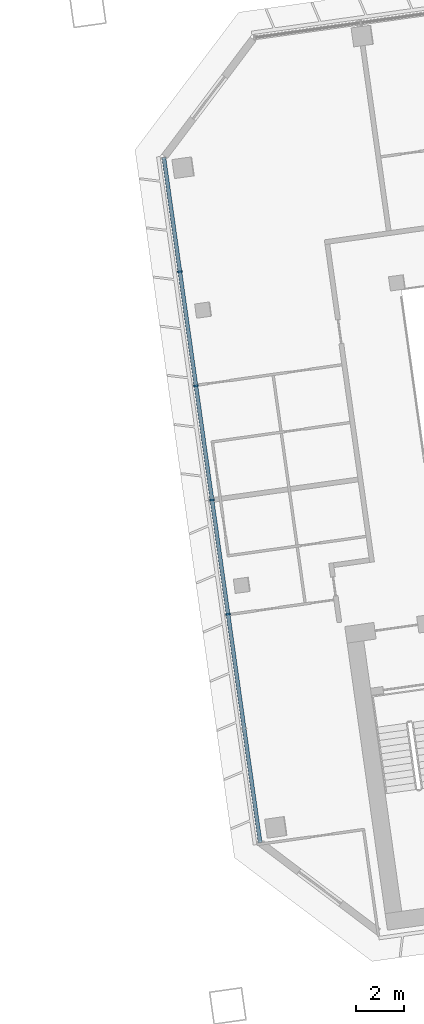
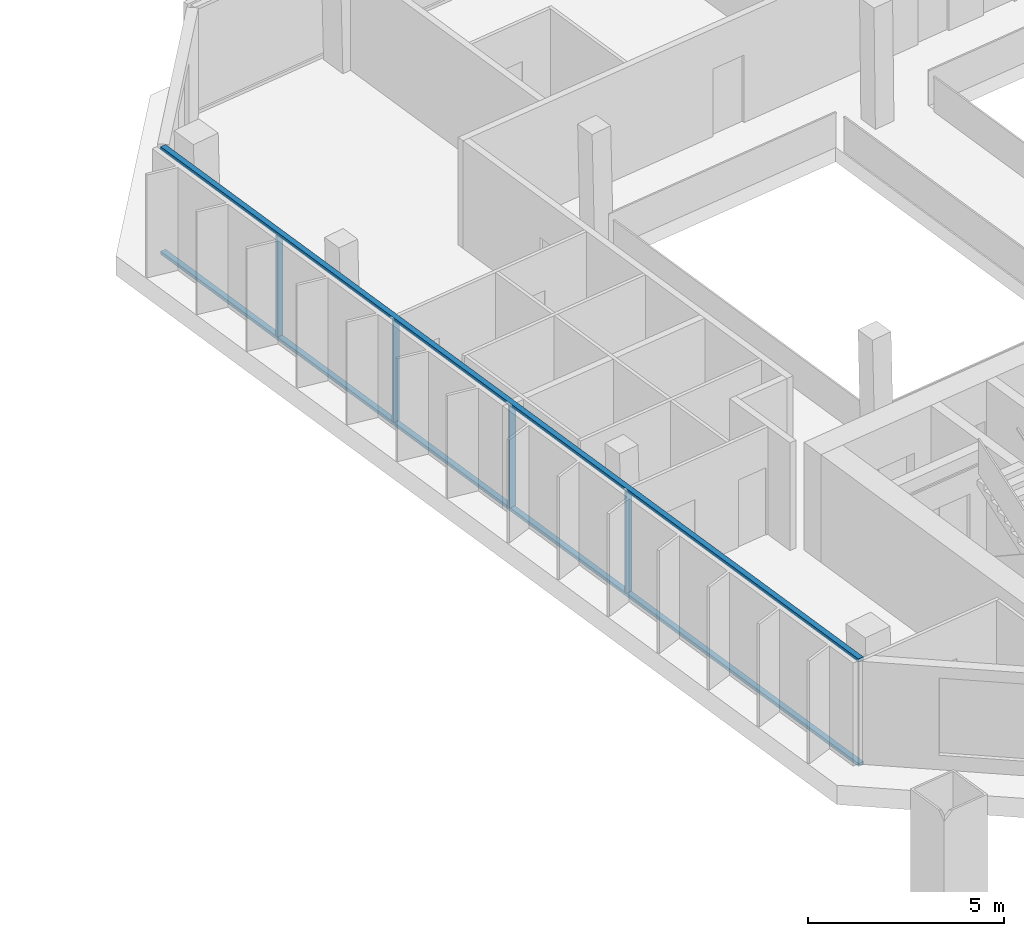
# One storey, part 7 of 28: 6 members, 1 element without a shape of its own.
"""IFC4 building model written with IfcOpenShell, lengths in metres."""

from ifc_helpers import new_model, si_unit, direction, frame, origin, origin_2d, place, context, subcontext, project, spatial, rectangle, extrude, material, material_profile, profile_set, type_object, element, aggregate, save


model = new_model("IFC4")

# Units and contexts
model_context = context("Model", 3, precision=1e-05, world=origin(), true_north=direction((0.0, 1.0)))
body_context = subcontext(model_context, "Body", "Model", "MODEL_VIEW")
ifc_project = project(units=[si_unit("LENGTHUNIT", "METRE"), si_unit("AREAUNIT", "SQUARE_METRE"), si_unit("VOLUMEUNIT", "CUBIC_METRE"), si_unit("PLANEANGLEUNIT", "RADIAN"), si_unit("MASSUNIT", "GRAM", prefix="KILO")], contexts=[model_context])

# Site, building, storey
site_placement = place(None, origin())
site = spatial("IfcSite", under=ifc_project, at=site_placement, CompositionType="ELEMENT")
building_placement = place(site_placement, origin())
building = spatial("IfcBuilding", under=site, at=building_placement, Name="Mirante Cascada Hotel Towers", CompositionType="ELEMENT")
storey_placement = place(building_placement, frame((0.0, 0.0, 165.0)))
storey = spatial("IfcBuildingStorey", under=building, at=storey_placement, Name="L38", CompositionType="ELEMENT", Elevation=165.0)

# Curtain wall, members
ifc_material_1 = material(Name="Aluminium mullion and transom frame with clear laminated glass", Category="aluminium")
curtain_wall_type = type_object("IfcCurtainWallType", Name="End ribbon curtain wall ECW2", PredefinedType="NOTDEFINED", material=ifc_material_1)
curtain_wall_placement = place(storey_placement, origin())
curtain_wall = element("IfcCurtainWall", 1, at=curtain_wall_placement, inside=storey, type_object=curtain_wall_type, Name="Inner end wall T2 L38", PredefinedType="NOTDEFINED")
ifc_material_2 = material(Name="Anodised aluminium extrusion", Category="aluminium")
ifc_material_profile_1 = material_profile(ifc_material_2, rectangle(XDim=0.2, YDim=0.065, at=origin_2d()), Name="ECW2 MULLION 65x200")
ifc_profile_set_1 = profile_set([ifc_material_profile_1], Name="Anodised aluminium extrusion")
member_type_1 = type_object("IfcMemberType", Name="ECW2 mullion 65x200", PredefinedType="MULLION", material=ifc_profile_set_1)
member_1_placement = place(storey_placement, frame((28.6081, 7.5242, 0.1), z_axis=(0.0, 0.0, 1.0), x_axis=(0.9902681, 0.1391731, 0.0)))
member_1 = element("IfcMember", 2, at=member_1_placement, type_object=member_type_1, Name="ECW2 mullion 2", PredefinedType="MULLION", context=body_context, shape_type="SweptSolid", body=[
    extrude(rectangle(XDim=0.2, YDim=0.065, at=origin_2d()), origin(), (0.0, 0.0, 1.0), 3.15),
])
member_2_placement = place(storey_placement, frame((29.2779, 2.7584, 0.1), z_axis=(0.0, 0.0, 1.0), x_axis=(0.9902681, 0.1391731, 0.0)))
member_2 = element("IfcMember", 3, at=member_2_placement, type_object=member_type_1, Name="ECW2 mullion 3", PredefinedType="MULLION", context=body_context, shape_type="SweptSolid", body=[
    extrude(rectangle(XDim=0.2, YDim=0.065, at=origin_2d()), origin(), (0.0, 0.0, 1.0), 3.15),
])
member_3_placement = place(storey_placement, frame((29.9477, -2.0074, 0.1), z_axis=(0.0, 0.0, 1.0), x_axis=(0.9902681, 0.1391731, 0.0)))
member_3 = element("IfcMember", 4, at=member_3_placement, type_object=member_type_1, Name="ECW2 mullion 4", PredefinedType="MULLION", context=body_context, shape_type="SweptSolid", body=[
    extrude(rectangle(XDim=0.2, YDim=0.065, at=origin_2d()), origin(), (0.0, 0.0, 1.0), 3.15),
])
member_4_placement = place(storey_placement, frame((30.6175, -6.7731, 0.1), z_axis=(0.0, 0.0, 1.0), x_axis=(0.9902681, 0.1391731, 0.0)))
member_4 = element("IfcMember", 5, at=member_4_placement, type_object=member_type_1, Name="ECW2 mullion 5", PredefinedType="MULLION", context=body_context, shape_type="SweptSolid", body=[
    extrude(rectangle(XDim=0.2, YDim=0.065, at=origin_2d()), origin(), (0.0, 0.0, 1.0), 3.15),
])
ifc_material_3 = material(Name="Anodised aluminium extrusion", Category="aluminium")
ifc_material_profile_2 = material_profile(ifc_material_3, rectangle(XDim=0.16, YDim=0.1, at=origin_2d()), Name="ECW2 TRANSOM 100x160")
ifc_profile_set_2 = profile_set([ifc_material_profile_2], Name="Anodised aluminium extrusion")
member_type_2 = type_object("IfcMemberType", Name="ECW2 transom 100x160", PredefinedType="USERDEFINED", material=ifc_profile_set_2)
member_5_placement = place(storey_placement, frame((27.9383, 12.29, 0.05), z_axis=(0.1391723, -0.9902682, 0.0), x_axis=(0.9902682, 0.1391723, 0.0)))
member_5 = element("IfcMember", 6, at=member_5_placement, type_object=member_type_2, Name="ECW2 sill transom", ObjectType="TRANSOM", PredefinedType="USERDEFINED", context=body_context, shape_type="SweptSolid", body=[
    extrude(rectangle(XDim=0.16, YDim=0.1, at=origin_2d()), origin(), (0.0, 0.0, 1.0), 28.8757),
])
member_6_placement = place(storey_placement, frame((27.9383, 12.29, 3.3), z_axis=(0.1391723, -0.9902682, 0.0), x_axis=(0.9902682, 0.1391723, 0.0)))
member_6 = element("IfcMember", 7, at=member_6_placement, type_object=member_type_2, Name="ECW2 head transom", ObjectType="TRANSOM", PredefinedType="USERDEFINED", context=body_context, shape_type="SweptSolid", body=[
    extrude(rectangle(XDim=0.16, YDim=0.1, at=origin_2d()), origin(), (0.0, 0.0, 1.0), 28.8757),
])
aggregate(curtain_wall, [member_5, member_6, member_1, member_2, member_3, member_4])

save(model, "model.ifc")
